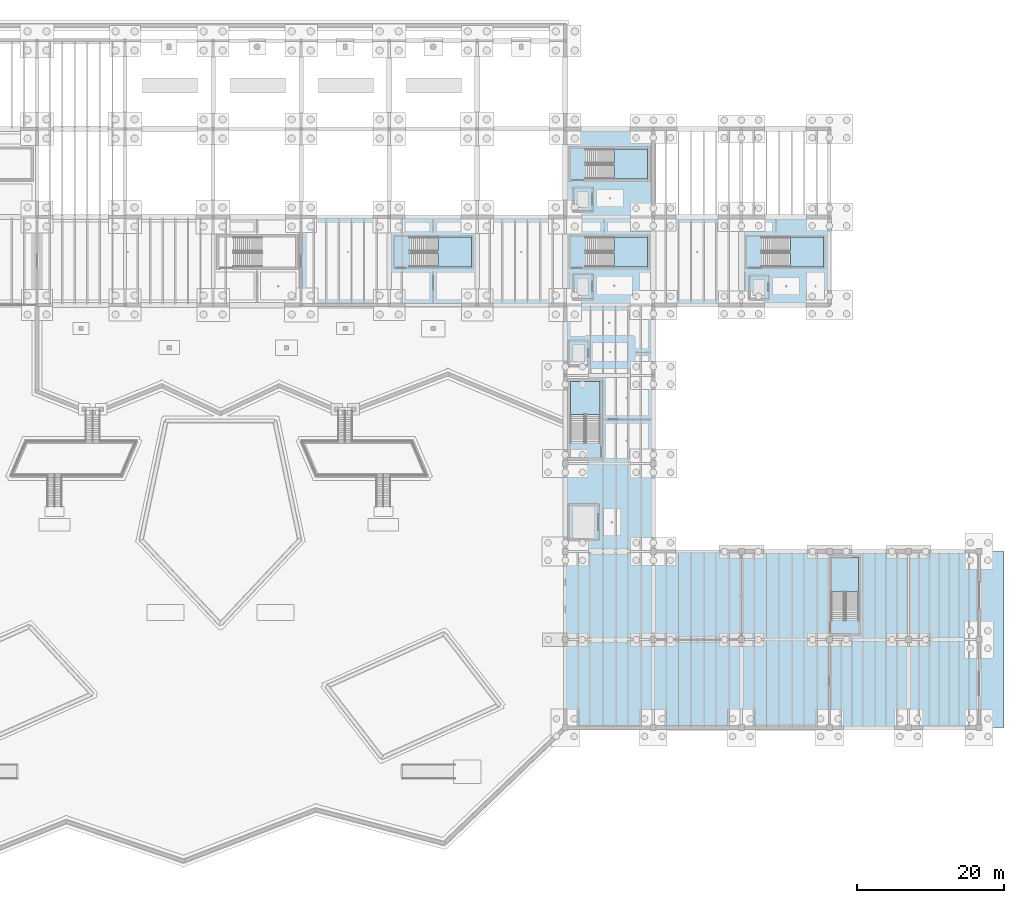
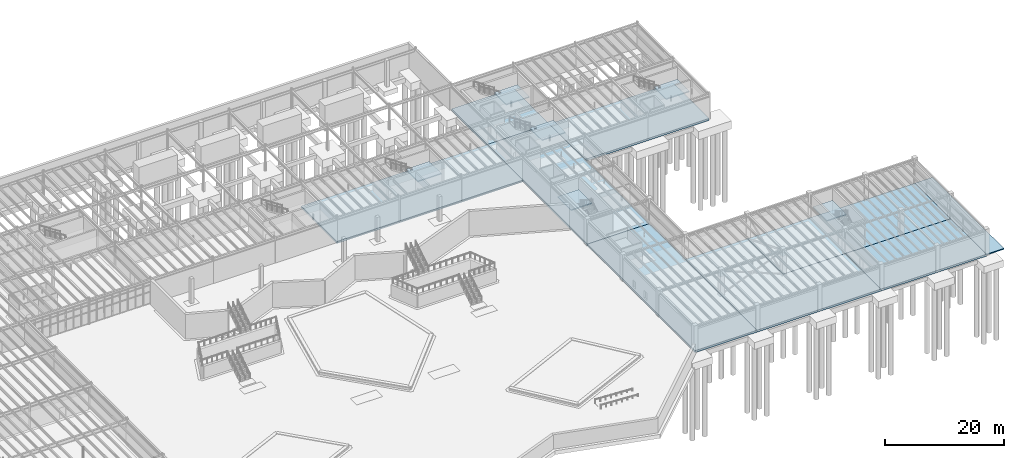
# One storey, part 30 of 67: 15 slabs, 6 elements without a shape of their own.
"""IFC4 building model written with IfcOpenShell, lengths in metres."""

import ifcopenshell
import ifcopenshell.guid

model = None  # the IFC model being written
_history = None  # IfcOwnerHistory: only IFC2X3 demands one
_inside = {}  # id of a spatial element -> (the spatial element, [elements in it])
_under = {}  # id of a project, library or spatial element -> (it, [spatial elements below it])
_declared = {}  # id of a project -> (the project, [libraries it declares])
_typed = {}  # id of a type object -> (the type object, [elements of that type])
_made_of = {}  # id of a material, layer set ... -> (it, [elements and type objects made of it])


def new_model(schema):
    """Start an empty IFC model of exactly this schema.

    Asked for "IFC4X3", IfcOpenShell would pick the latest addendum, in which some entities
    have other attributes; the version numbers below select the first issue.
    IFC2X3 requires an IfcOwnerHistory on every rooted entity: one is made here for all.
    """
    global model, _history
    if schema == "IFC4X3":
        model = ifcopenshell.file(schema_version=(4, 3, 0, 0))
    else:
        model = ifcopenshell.file(schema=schema)
    _inside.clear()
    _under.clear()
    _declared.clear()
    _typed.clear()
    _made_of.clear()
    _history = None
    if model.schema == "IFC2X3":
        org = make("IfcOrganization", Name="unknown")
        user = make(
            "IfcPersonAndOrganization",
            ThePerson=make("IfcPerson", FamilyName="unknown"),
            TheOrganization=org,
        )
        app = make(
            "IfcApplication",
            ApplicationDeveloper=org,
            Version="unknown",
            ApplicationFullName="unknown",
            ApplicationIdentifier="unknown",
        )
        _history = make(
            "IfcOwnerHistory",
            OwningUser=user,
            OwningApplication=app,
            ChangeAction="ADDED",
            CreationDate=0,
        )
    return model


def make(cls, **values):
    """One entity of the class cls with the attributes given. An attribute that is None is left unset."""
    return model.create_entity(
        cls, **{name: value for name, value in values.items() if value is not None}
    )


def rooted(cls, **values):
    """An entity with a GlobalId (a new one), such as an element, a storey or a relation."""
    return make(cls, GlobalId=ifcopenshell.guid.new(), OwnerHistory=_history, **values)


def si_unit(unit_type, name, prefix=None):
    """IfcSIUnit, for example si_unit("LENGTHUNIT", "METRE", prefix="MILLI")."""
    return make("IfcSIUnit", UnitType=unit_type, Prefix=prefix, Name=name)


def assignment(units):
    """IfcUnitAssignment: the units of a project."""
    return None if units is None else make("IfcUnitAssignment", Units=units)


def point(xyz):
    """IfcCartesianPoint."""
    return None if xyz is None else make("IfcCartesianPoint", Coordinates=xyz)


def direction(xyz):
    """IfcDirection."""
    return None if xyz is None else make("IfcDirection", DirectionRatios=xyz)


def frame(location, z_axis=None, x_axis=None):
    """IfcAxis2Placement3D, a coordinate frame: its origin and axes. An axis left out is left unset."""
    return make(
        "IfcAxis2Placement3D",
        Location=point(location),
        Axis=direction(z_axis),
        RefDirection=direction(x_axis),
    )


def origin():
    """The frame at (0, 0, 0) with its axes left unset."""
    return frame((0.0, 0.0, 0.0))


def place(relative_to, where):
    """IfcLocalPlacement: puts the frame where relative to a parent placement (None: the world)."""
    return make(
        "IfcLocalPlacement", PlacementRelTo=relative_to, RelativePlacement=where
    )


def context(
    kind, dimensions, precision=None, world=None, true_north=None, identifier=None
):
    """IfcGeometricRepresentationContext, for example the 3D "Model" context."""
    return make(
        "IfcGeometricRepresentationContext",
        ContextIdentifier=identifier,
        ContextType=kind,
        CoordinateSpaceDimension=dimensions,
        Precision=precision,
        WorldCoordinateSystem=world,
        TrueNorth=true_north,
    )


def subcontext(parent, identifier, kind, view, scale=None):
    """IfcGeometricRepresentationSubContext, for example "Body" below "Model"."""
    return make(
        "IfcGeometricRepresentationSubContext",
        ContextIdentifier=identifier,
        ContextType=kind,
        ParentContext=parent,
        TargetScale=scale,
        TargetView=view,
    )


def project(units=None, contexts=None):
    """IfcProject with its units and contexts."""
    return rooted(
        "IfcProject",
        Name="project",
        RepresentationContexts=contexts,
        UnitsInContext=assignment(units),
    )


def spatial(cls, under=None, at=None, **own):
    """A site, building, storey or space (cls), placed at a placement, below another one or the project."""
    s = rooted(cls, ObjectPlacement=at, **own)
    if under is not None:
        _under.setdefault(under.id(), (under, []))[1].append(s)
    return s


def polyline(points):
    """IfcPolyline through the points."""
    return make("IfcPolyline", Points=[point(p) for p in points])


def outline(outer, holes=None, kind="AREA"):
    """IfcArbitraryClosedProfileDef: a profile drawn as a closed curve; with holes, ...WithVoids."""
    if holes is None:
        return make("IfcArbitraryClosedProfileDef", ProfileType=kind, OuterCurve=outer)
    return make(
        "IfcArbitraryProfileDefWithVoids",
        ProfileType=kind,
        OuterCurve=outer,
        InnerCurves=holes,
    )


def extrude(swept, where, along, depth):
    """IfcExtrudedAreaSolid: the profile swept, set in the frame where, extruded along a direction by depth."""
    return make(
        "IfcExtrudedAreaSolid",
        SweptArea=swept,
        Position=where,
        ExtrudedDirection=direction(along),
        Depth=depth,
    )


def shape(context_of_items, identifier, shape_type, items):
    """IfcShapeRepresentation: the items that make up one representation, for example the "Body"."""
    return make(
        "IfcShapeRepresentation",
        ContextOfItems=context_of_items,
        RepresentationIdentifier=identifier,
        RepresentationType=shape_type,
        Items=items,
    )


def material(Name=None, Category=None):
    """IfcMaterial."""
    return make("IfcMaterial", Name=Name, Category=Category)


def layer(
    of_material, thickness, ventilated=None, Name=None, Category=None, Priority=None
):
    """IfcMaterialLayer: one layer of a wall or slab, of a material (None: an air gap)."""
    return make(
        "IfcMaterialLayer",
        Material=of_material,
        LayerThickness=thickness,
        IsVentilated=ventilated,
        Name=Name,
        Category=Category,
        Priority=Priority,
    )


def layer_set(layers, Name=None):
    """IfcMaterialLayerSet."""
    return make("IfcMaterialLayerSet", MaterialLayers=layers, LayerSetName=Name)


def made_of(thing, what):
    """Note that an element or type object is made of a material, layer set ...; save() writes the relation."""
    if what is not None:
        _made_of.setdefault(what.id(), (what, []))[1].append(thing)
    return thing


def type_object(cls, material=None, **own):
    """A type object (cls), such as IfcWallType, which elements share."""
    return made_of(rooted(cls, **own), material)


def element(
    cls,
    number,
    at=None,
    inside=None,
    cuts=None,
    type_object=None,
    material=None,
    context=None,
    identifier="Body",
    shape_type=None,
    held_by="IfcProductDefinitionShape",
    body=None,
    shapes=None,
    **own,
):
    """One element of the class cls, such as IfcWall. Its Tag is "e" and its number.

    at: its placement. inside: the storey or other place that contains it. cuts: it is an
    opening in that element (IfcRelVoidsElement). A single representation is given by context,
    identifier, shape_type and body (its items); several are given by shapes. held_by: the class
    of the entity that holds the representations. save() writes the other relations.
    """
    e = rooted(cls, Tag="e%d" % number, ObjectPlacement=at, **own)
    if body is not None:
        shapes = [shape(context, identifier, shape_type, body)]
    if shapes is not None:
        e.Representation = make(held_by, Representations=shapes)
    if inside is not None:
        _inside.setdefault(inside.id(), (inside, []))[1].append(e)
    if cuts is not None:
        rooted(
            "IfcRelVoidsElement", RelatingBuildingElement=cuts, RelatedOpeningElement=e
        )
    if type_object is not None:
        _typed.setdefault(type_object.id(), (type_object, []))[1].append(e)
    return made_of(e, material)


def aggregate(whole, parts):
    """IfcRelAggregates: a whole, such as a stair, and the parts it consists of."""
    return rooted("IfcRelAggregates", RelatingObject=whole, RelatedObjects=parts)


def save(model, path):
    """Write the relations noted so far, then the file.

    IfcRelAggregates (storeys below a building ...), IfcRelContainedInSpatialStructure (elements
    in a storey), IfcRelDefinesByType, IfcRelAssociatesMaterial and IfcRelDeclares: one each for
    every whole, place, type object, material and project.
    """
    for whole, parts in _under.values():
        aggregate(whole, parts)
    for where, things in _inside.values():
        rooted(
            "IfcRelContainedInSpatialStructure",
            RelatedElements=things,
            RelatingStructure=where,
        )
    for kind, things in _typed.values():
        rooted("IfcRelDefinesByType", RelatedObjects=things, RelatingType=kind)
    for what, things in _made_of.values():
        rooted("IfcRelAssociatesMaterial", RelatedObjects=things, RelatingMaterial=what)
    for by, libraries in _declared.values():
        rooted("IfcRelDeclares", RelatingContext=by, RelatedDefinitions=libraries)
    model.write(path)


model = new_model("IFC4")

# Units and contexts
model_context = context("Model", 3, precision=1e-05, world=origin(), true_north=direction((0.0, 1.0)))
body_context = subcontext(model_context, "Body", "Model", "MODEL_VIEW")
ifc_project = project(units=[si_unit("LENGTHUNIT", "METRE"), si_unit("AREAUNIT", "SQUARE_METRE"), si_unit("VOLUMEUNIT", "CUBIC_METRE"), si_unit("PLANEANGLEUNIT", "RADIAN"), si_unit("MASSUNIT", "GRAM", prefix="KILO")], contexts=[model_context])

# Site, building, storey
site_placement = place(None, origin())
site = spatial("IfcSite", under=ifc_project, at=site_placement, CompositionType="ELEMENT")
building_placement = place(site_placement, origin())
building = spatial("IfcBuilding", under=site, at=building_placement, Name="Zlatogorsky Bluff Art Gallery", CompositionType="ELEMENT")
storey_placement = place(building_placement, frame((0.0, 0.0, -5.39990234375)))
storey = spatial("IfcBuildingStorey", under=building, at=storey_placement, Name="B1", CompositionType="ELEMENT", Elevation=-5.39990234375)

# Slabs
ifc_material_1 = material(Name="Concrete C35/45", Category="concrete")
ifc_layer_1 = layer(ifc_material_1, 0.39990234375)
ifc_layer_set_1 = layer_set([ifc_layer_1], Name="Slab SL-B1 400mm")
slab_type_1 = type_object("IfcSlabType", Name="Slab SL-B1 400mm", PredefinedType="BASESLAB", material=ifc_layer_set_1)
slab_1_placement = place(storey_placement, frame((0.0, 0.0, -0.400146484375)))
element("IfcSlab", 1, at=slab_1_placement, inside=storey, type_object=slab_type_1, Name="B1 structural floor slab panel 11", PredefinedType="BASESLAB", context=body_context, shape_type="SweptSolid", body=[
    extrude(outline(polyline([(84.0, 84.0), (84.0, 96.0), (96.0, 96.0), (108.0, 96.0), (120.0, 96.0), (120.0, 84.0), (108.0, 84.0), (96.0, 84.0), (84.0, 84.0)])), origin(), (0.0, 0.0, 1.0), 0.400146484375),
])
slab_2_placement = place(storey_placement, frame((0.0, 0.0, -0.400146484375)))
element("IfcSlab", 2, at=slab_2_placement, inside=storey, type_object=slab_type_1, Name="B1 structural floor slab panel 12", PredefinedType="BASESLAB", context=body_context, shape_type="SweptSolid", body=[
    extrude(outline(polyline([(132.0, 26.39990234375), (120.0, 26.39990234375), (120.0, 38.39990234375), (120.0, 50.39990234375), (120.0, 62.39990234375), (132.0, 62.39990234375), (132.0, 50.39990234375), (132.0, 38.39990234375), (132.0, 26.39990234375)])), origin(), (0.0, 0.0, 1.0), 0.400146484375),
])
slab_3_placement = place(storey_placement, frame((0.0, 0.0, -0.400146484375)))
element("IfcSlab", 3, at=slab_3_placement, inside=storey, type_object=slab_type_1, Name="B1 structural floor slab panel 13", PredefinedType="BASESLAB", context=body_context, shape_type="SweptSolid", body=[
    extrude(outline(polyline([(132.0, 62.39990234375), (120.0, 62.39990234375), (120.0, 74.39990234375), (120.0, 84.0), (120.0, 96.0), (132.0, 96.0), (132.0, 84.0), (132.0, 74.39990234375), (132.0, 62.39990234375)])), origin(), (0.0, 0.0, 1.0), 0.400146484375),
])
slab_4_placement = place(storey_placement, frame((0.0, 0.0, -0.400146484375)))
element("IfcSlab", 4, at=slab_4_placement, inside=storey, type_object=slab_type_1, Name="B1 structural floor slab panel 14", PredefinedType="BASESLAB", context=body_context, shape_type="SweptSolid", body=[
    extrude(outline(polyline([(132.0, 96.0), (132.0, 108.0), (120.0, 108.0), (120.0, 96.0), (132.0, 96.0)])), origin(), (0.0, 0.0, 1.0), 0.400146484375),
])
slab_5_placement = place(storey_placement, frame((0.0, 0.0, -0.400146484375)))
element("IfcSlab", 5, at=slab_5_placement, inside=storey, type_object=slab_type_1, Name="B1 structural floor slab panel 15", PredefinedType="BASESLAB", context=body_context, shape_type="SweptSolid", body=[
    extrude(outline(polyline([(132.0, 26.39990234375), (132.0, 38.39990234375), (132.0, 50.39990234375), (144.0, 50.39990234375), (144.0, 38.39990234375), (156.0, 38.39990234375), (156.0, 26.39990234375), (144.0, 26.39990234375), (132.0, 26.39990234375)])), origin(), (0.0, 0.0, 1.0), 0.400146484375),
])
slab_6_placement = place(storey_placement, frame((0.0, 0.0, -0.400146484375)))
element("IfcSlab", 6, at=slab_6_placement, inside=storey, type_object=slab_type_1, Name="B1 structural floor slab panel 16", PredefinedType="BASESLAB", context=body_context, shape_type="SweptSolid", body=[
    extrude(outline(polyline([(132.0, 84.0), (132.0, 96.0), (144.0, 96.0), (156.0, 96.0), (156.0, 84.0), (144.0, 84.0), (132.0, 84.0)])), origin(), (0.0, 0.0, 1.0), 0.400146484375),
])
slab_7_placement = place(storey_placement, frame((0.0, 0.0, -0.400146484375)))
element("IfcSlab", 7, at=slab_7_placement, inside=storey, type_object=slab_type_1, Name="B1 structural floor slab panel 17", PredefinedType="BASESLAB", context=body_context, shape_type="SweptSolid", body=[
    extrude(outline(polyline([(144.0, 38.39990234375), (144.0, 50.39990234375), (156.0, 50.39990234375), (166.800048828125, 50.39990234375), (176.39990234375, 50.39990234375), (176.39990234375, 38.39990234375), (166.800048828125, 38.39990234375), (156.0, 38.39990234375), (144.0, 38.39990234375)])), origin(), (0.0, 0.0, 1.0), 0.400146484375),
])
slab_8_placement = place(storey_placement, frame((0.0, 0.0, -0.400146484375)))
element("IfcSlab", 8, at=slab_8_placement, inside=storey, type_object=slab_type_1, Name="B1 structural floor slab panel 18", PredefinedType="BASESLAB", context=body_context, shape_type="SweptSolid", body=[
    extrude(outline(polyline([(156.0, 26.39990234375), (156.0, 38.39990234375), (166.800048828125, 38.39990234375), (176.39990234375, 38.39990234375), (176.39990234375, 26.39990234375), (166.800048828125, 26.39990234375), (156.0, 26.39990234375)])), origin(), (0.0, 0.0, 1.0), 0.400146484375),
])
ifc_layer_2 = layer(ifc_material_1, 0.219970703125)
ifc_layer_set_2 = layer_set([ifc_layer_2], Name="Slab SL-TR1 220mm")
slab_type_2 = type_object("IfcSlabType", Name="Slab SL-TR1 220mm", PredefinedType="FLOOR", material=ifc_layer_set_2)
slab_9_placement = place(storey_placement, frame((0.0, 0.0, -0.22021484375)))
element("IfcSlab", 9, at=slab_9_placement, inside=storey, type_object=slab_type_2, Name="B1 lower-bluff art loading dock apron", PredefinedType="FLOOR", context=body_context, shape_type="SweptSolid", body=[
    extrude(outline(polyline([(176.39990234375, 26.39990234375), (179.800048828125, 26.39990234375), (179.800048828125, 50.39990234375), (176.39990234375, 50.39990234375), (176.39990234375, 26.39990234375)])), origin(), (0.0, 0.0, 1.0), 0.22021484375),
])

# Stair, slab
ifc_material_2 = material(Name="Concrete C30/37", Category="concrete")
stair_type_1 = type_object("IfcStairType", Name="Protected Dogleg Stair ST-T3", PredefinedType="HALF_TURN_STAIR", material=ifc_material_2)
stair_1_placement = place(storey_placement, origin())
stair_1 = element("IfcStair", 10, at=stair_1_placement, inside=storey, type_object=stair_type_1, Name="B1 Protected Exit Stair ST-01", PredefinedType="HALF_TURN_STAIR")
ifc_layer_3 = layer(ifc_material_2, 0.199951171875)
ifc_layer_set_3 = layer_set([ifc_layer_3], Name="Stair Half-Landing 200mm")
slab_type_3 = type_object("IfcSlabType", Name="Stair Half-Landing 200mm", PredefinedType="LANDING", material=ifc_layer_set_3)
slab_10_placement = place(storey_placement, frame((0.0, 0.0, 2.5)))
slab_10 = element("IfcSlab", 11, at=slab_10_placement, type_object=slab_type_3, Name="ST-01 landing 1", PredefinedType="LANDING", context=body_context, shape_type="SweptSolid", body=[
    extrude(outline(polyline([(102.669921875, 89.199951171875), (107.199951171875, 89.199951171875), (107.199951171875, 93.25), (102.669921875, 93.25), (102.669921875, 89.199951171875)])), origin(), (0.0, 0.0, 1.0), 0.199951171875),
])
aggregate(stair_1, [slab_10])

stair_2_placement = place(storey_placement, origin())
stair_2 = element("IfcStair", 12, at=stair_2_placement, inside=storey, type_object=stair_type_1, Name="B1 Protected Exit Stair ST-02", PredefinedType="HALF_TURN_STAIR")
slab_11_placement = place(storey_placement, frame((0.0, 0.0, 2.5)))
slab_11 = element("IfcSlab", 13, at=slab_11_placement, type_object=slab_type_3, Name="ST-02 landing 1", PredefinedType="LANDING", context=body_context, shape_type="SweptSolid", body=[
    extrude(outline(polyline([(126.669921875, 89.199951171875), (131.199951171875, 89.199951171875), (131.199951171875, 93.25), (126.669921875, 93.25), (126.669921875, 89.199951171875)])), origin(), (0.0, 0.0, 1.0), 0.199951171875),
])
aggregate(stair_2, [slab_11])

stair_3_placement = place(storey_placement, origin())
stair_3 = element("IfcStair", 14, at=stair_3_placement, inside=storey, type_object=stair_type_1, Name="B1 Protected Exit Stair ST-03", PredefinedType="HALF_TURN_STAIR")
slab_12_placement = place(storey_placement, frame((0.0, 0.0, 2.5)))
slab_12 = element("IfcSlab", 15, at=slab_12_placement, type_object=slab_type_3, Name="ST-03 landing 1", PredefinedType="LANDING", context=body_context, shape_type="SweptSolid", body=[
    extrude(outline(polyline([(126.669921875, 101.199951171875), (131.199951171875, 101.199951171875), (131.199951171875, 105.25), (126.669921875, 105.25), (126.669921875, 101.199951171875)])), origin(), (0.0, 0.0, 1.0), 0.199951171875),
])
aggregate(stair_3, [slab_12])

stair_4_placement = place(storey_placement, origin())
stair_4 = element("IfcStair", 16, at=stair_4_placement, inside=storey, type_object=stair_type_1, Name="B1 Protected Exit Stair ST-04", PredefinedType="HALF_TURN_STAIR")
slab_13_placement = place(storey_placement, frame((0.0, 0.0, 2.5)))
slab_13 = element("IfcSlab", 17, at=slab_13_placement, type_object=slab_type_3, Name="ST-04 landing 1", PredefinedType="LANDING", context=body_context, shape_type="SweptSolid", body=[
    extrude(outline(polyline([(150.669921875, 89.199951171875), (155.199951171875, 89.199951171875), (155.199951171875, 93.25), (150.669921875, 93.25), (150.669921875, 89.199951171875)])), origin(), (0.0, 0.0, 1.0), 0.199951171875),
])
aggregate(stair_4, [slab_13])

stair_5_placement = place(storey_placement, origin())
stair_5 = element("IfcStair", 18, at=stair_5_placement, inside=storey, type_object=stair_type_1, Name="B1 Protected Exit Stair ST-06", PredefinedType="HALF_TURN_STAIR")
slab_14_placement = place(storey_placement, frame((0.0, 0.0, 2.5)))
slab_14 = element("IfcSlab", 19, at=slab_14_placement, type_object=slab_type_3, Name="ST-06 landing 1", PredefinedType="LANDING", context=body_context, shape_type="SweptSolid", body=[
    extrude(outline(polyline([(124.75, 69.070068359375), (124.75, 73.60009765625), (120.699951171875, 73.60009765625), (120.699951171875, 69.070068359375), (124.75, 69.070068359375)])), origin(), (0.0, 0.0, 1.0), 0.199951171875),
])
aggregate(stair_5, [slab_14])

stair_type_2 = type_object("IfcStairType", Name="Protected Dogleg Stair ST-T1", PredefinedType="HALF_TURN_STAIR", material=ifc_material_2)
stair_6_placement = place(storey_placement, origin())
stair_6 = element("IfcStair", 20, at=stair_6_placement, inside=storey, type_object=stair_type_2, Name="B1 Protected Exit Stair ST-10", PredefinedType="HALF_TURN_STAIR")
slab_15_placement = place(storey_placement, frame((0.0, 0.0, 2.5)))
slab_15 = element("IfcSlab", 21, at=slab_15_placement, type_object=slab_type_3, Name="ST-10 landing 1", PredefinedType="LANDING", context=body_context, shape_type="SweptSolid", body=[
    extrude(outline(polyline([(160.0, 44.919921875), (160.0, 49.60009765625), (156.25, 49.60009765625), (156.25, 44.919921875), (160.0, 44.919921875)])), origin(), (0.0, 0.0, 1.0), 0.199951171875),
])
aggregate(stair_6, [slab_15])

save(model, "model.ifc")
